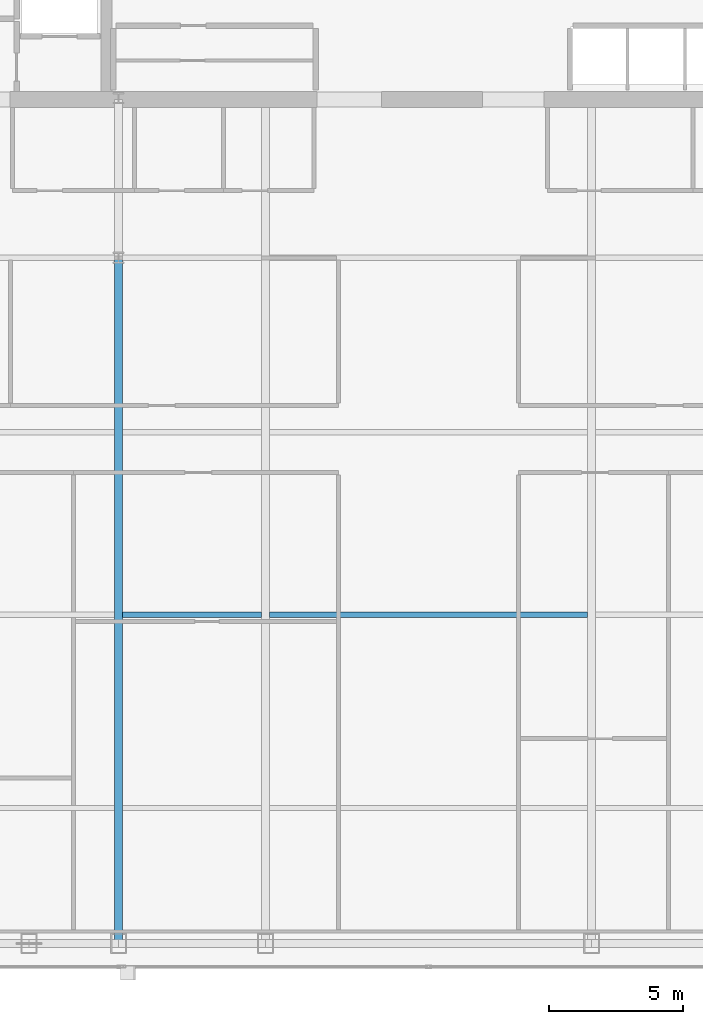
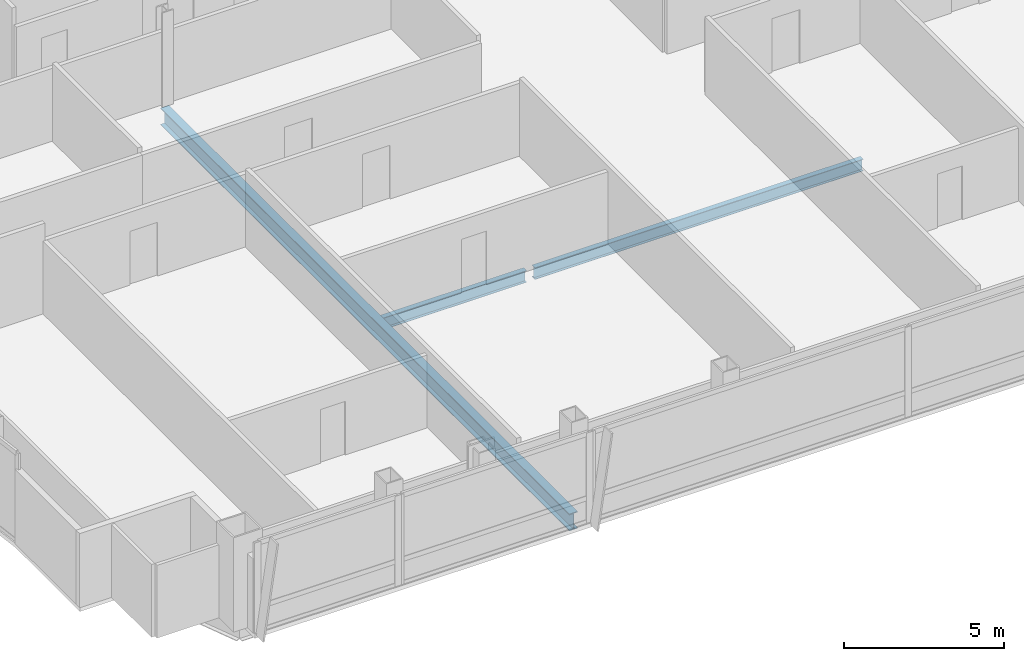
# One storey, part 9 of 29: 3 beams.
"""IFC4 building model written with IfcOpenShell, lengths in metres."""

from ifc_helpers import new_model, si_unit, direction, frame, origin, origin_2d, place, context, subcontext, project, spatial, i_section, extrude, material, material_profile, profile_set, type_object, element, save


model = new_model("IFC4")

# Units and contexts
model_context = context("Model", 3, precision=1e-05, world=origin(), true_north=direction((0.0, 1.0)))
body_context = subcontext(model_context, "Body", "Model", "MODEL_VIEW")
ifc_project = project(units=[si_unit("LENGTHUNIT", "METRE"), si_unit("AREAUNIT", "SQUARE_METRE"), si_unit("VOLUMEUNIT", "CUBIC_METRE"), si_unit("PLANEANGLEUNIT", "RADIAN"), si_unit("MASSUNIT", "GRAM", prefix="KILO")], contexts=[model_context])

# Site, building, storey
site_placement = place(None, origin())
site = spatial("IfcSite", under=ifc_project, at=site_placement, CompositionType="ELEMENT")
building_placement = place(site_placement, origin())
building = spatial("IfcBuilding", under=site, at=building_placement, Name="Khoronbel Lancet Exchange", CompositionType="ELEMENT")
storey_placement = place(building_placement, frame((0.0, 0.0, 246.199951171875)))
storey = spatial("IfcBuildingStorey", under=building, at=storey_placement, Name="L63", CompositionType="ELEMENT", Elevation=246.199951171875)

# Beams
ifc_material = material(Name="Steel S355", Category="steel")
ifc_material_profile_1 = material_profile(ifc_material, i_section(OverallWidth=0.300048828125, OverallDepth=0.64990234375, WebThickness=0.01611328125, FlangeThickness=0.031005859375, at=origin_2d()), Name="HEB 650")
ifc_profile_set_1 = profile_set([ifc_material_profile_1], Name="Steel S355")
beam_type_1 = type_object("IfcBeamType", Name="BM-BG4", PredefinedType="BEAM", material=ifc_profile_set_1)
beam_1_placement = place(storey_placement, frame((24.89990234375, 10.14990234375, -0.48486328125), z_axis=(0.0, 1.0, 0.0), x_axis=(-1.0, 0.0, 0.0)))
element("IfcBeam", 1, at=beam_1_placement, inside=storey, type_object=beam_type_1, Name="Level L63 south primary girder GS2", PredefinedType="BEAM", context=body_context, shape_type="SweptSolid", body=[
    extrude(i_section(OverallWidth=0.300048828125, OverallDepth=0.64990234375, WebThickness=0.01611328125, FlangeThickness=0.031005859375, at=origin_2d()), origin(), (0.0, 0.0, 1.0), 25.550048828125),
])
ifc_material_profile_2 = material_profile(ifc_material, i_section(OverallWidth=0.18994140625, OverallDepth=0.449951171875, WebThickness=0.009521484375, FlangeThickness=0.0146484375, at=origin_2d()), Name="IPE 450")
ifc_profile_set_2 = profile_set([ifc_material_profile_2], Name="Steel S355")
beam_type_2 = type_object("IfcBeamType", Name="BM-BJ4", PredefinedType="JOIST", material=ifc_profile_set_2)
beam_2_placement = place(storey_placement, frame((25.050048828125, 22.39990234375, -0.385009765625), z_axis=(1.0, 0.0, 0.0), x_axis=(0.0, 1.0, 0.0)))
element("IfcBeam", 2, at=beam_2_placement, inside=storey, type_object=beam_type_2, Name="Level L63 secondary composite joist J07", PredefinedType="JOIST", context=body_context, shape_type="SweptSolid", body=[
    extrude(i_section(OverallWidth=0.18994140625, OverallDepth=0.449951171875, WebThickness=0.009521484375, FlangeThickness=0.0146484375, at=origin_2d()), origin(), (0.0, 0.0, 1.0), 5.175048828125),
])
beam_3_placement = place(storey_placement, frame((30.52490234375, 22.39990234375, -0.385009765625), z_axis=(1.0, 0.0, 0.0), x_axis=(0.0, 1.0, 0.0)))
element("IfcBeam", 3, at=beam_3_placement, inside=storey, type_object=beam_type_2, Name="Level L63 secondary composite joist J08", PredefinedType="JOIST", context=body_context, shape_type="SweptSolid", body=[
    extrude(i_section(OverallWidth=0.18994140625, OverallDepth=0.449951171875, WebThickness=0.009521484375, FlangeThickness=0.0146484375, at=origin_2d()), origin(), (0.0, 0.0, 1.0), 11.85009765625),
])

save(model, "model.ifc")
